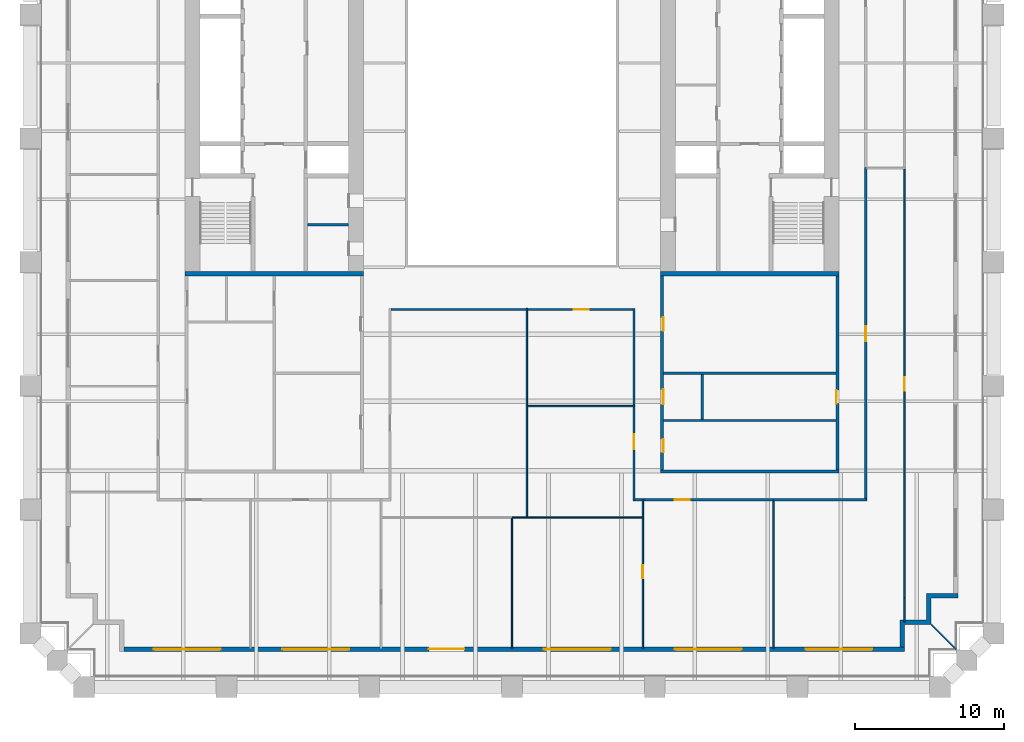
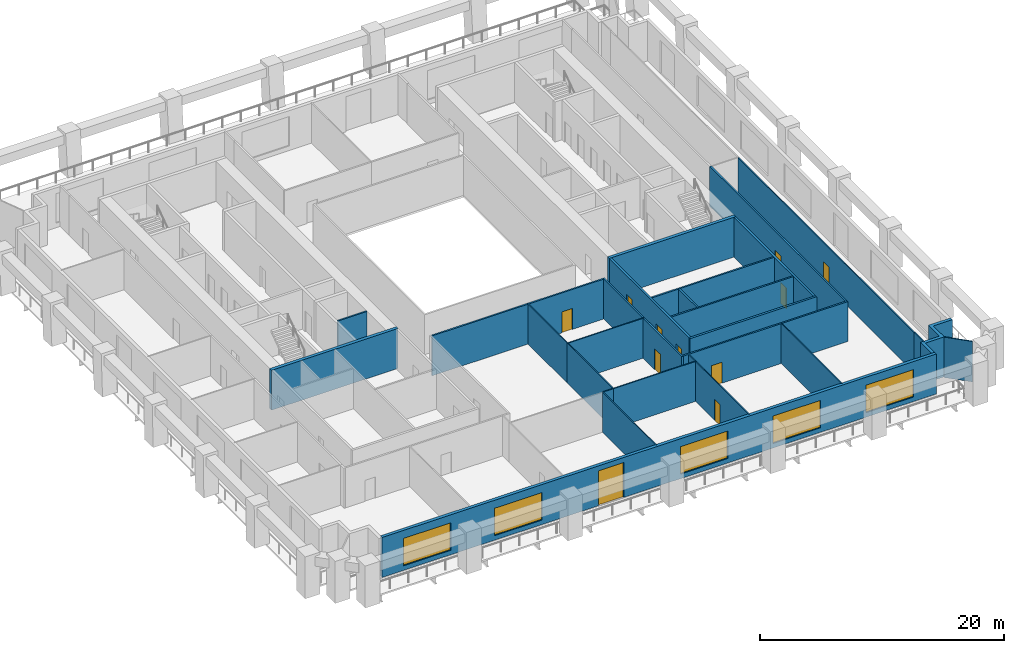
# One storey, part 4 of 10: 31 walls, 11 doors, 5 windows, 16 openings.
"""IFC4 building model written with IfcOpenShell, lengths in metres."""

from ifc_helpers import new_model, si_unit, direction, frame, frame_2d, origin, place, context, subcontext, project, spatial, polyline, rectangle, outline, extrude, material, layer, layer_set, type_object, element, fill, save


model = new_model("IFC4")

# Units and contexts
model_context = context("Model", 3, precision=1e-05, world=origin(), true_north=direction((0.0, 1.0)))
body_context = subcontext(model_context, "Body", "Model", "MODEL_VIEW")
ifc_project = project(units=[si_unit("LENGTHUNIT", "METRE"), si_unit("AREAUNIT", "SQUARE_METRE"), si_unit("VOLUMEUNIT", "CUBIC_METRE"), si_unit("PLANEANGLEUNIT", "RADIAN"), si_unit("MASSUNIT", "GRAM", prefix="KILO")], contexts=[model_context])

# Site, building, storey
site_placement = place(None, origin())
site = spatial("IfcSite", under=ifc_project, at=site_placement, CompositionType="ELEMENT")
building_placement = place(site_placement, origin())
building = spatial("IfcBuilding", under=site, at=building_placement, Name="Ogive Exchange Tower", CompositionType="ELEMENT")
storey_placement = place(building_placement, frame((0.0, 0.0, 73.199951171875)))
storey = spatial("IfcBuildingStorey", under=building, at=storey_placement, Name="L15", CompositionType="ELEMENT", Elevation=73.199951171875)

# Walls
ifc_material_1 = material(Name="Gypsum board partition")
ifc_layer_1 = layer(ifc_material_1, 0.14990234375)
ifc_layer_set_1 = layer_set([ifc_layer_1], Name="Core room partition 150 gypsum")
wall_type_1 = type_object("IfcWallType", Name="Core room partition 150 gypsum", PredefinedType="PARTITIONING", material=ifc_layer_set_1)
wall_1_placement = place(storey_placement, frame((-13.75, 0.699951171875, 0.0), z_axis=(0.0, 0.0, 1.0), x_axis=(1.0, 0.0, 0.0)))
element("IfcWall", 1, at=wall_1_placement, inside=storey, type_object=wall_type_1, Name="W south room partition", PredefinedType="PARTITIONING", context=body_context, shape_type="SweptSolid", body=[
    extrude(rectangle(XDim=2.75, YDim=0.14990234375, at=frame_2d((1.375, 0.0))), origin(), (0.0, 0.0, 1.0), 4.0),
])
for number, where, z_axis, x_axis, name in (
    (2, (10.199951171875, -9.300048828125, 0.0), (0.0, 0.0, 1.0), (1.0, 0.0, 0.0), "E annex S cross wall"),
    (3, (10.199951171875, -12.47509765625, 0.0), (0.0, 0.0, 1.0), (1.0, 0.0, 0.0), "E annex S wc strip wall 00"),
):
    element("IfcWall", number, at=place(storey_placement, frame(where, z_axis=z_axis, x_axis=x_axis)), inside=storey, type_object=wall_type_1, Name=name, PredefinedType="PARTITIONING", context=body_context, shape_type="SweptSolid", body=[
        extrude(rectangle(XDim=11.60009765625, YDim=0.14990234375, at=frame_2d((5.800048828125, 0.0))), origin(), (0.0, 0.0, 1.0), 4.0),
    ])
wall_2_placement = place(storey_placement, frame((12.800048828125, -12.39990234375, 0.0), z_axis=(0.0, 0.0, 1.0), x_axis=(0.0, 1.0, 0.0)))
element("IfcWall", 4, at=wall_2_placement, inside=storey, type_object=wall_type_1, Name="E annex S wc partition 00", PredefinedType="PARTITIONING", context=body_context, shape_type="SweptSolid", body=[
    extrude(rectangle(XDim=3.02490234375, YDim=0.14990234375, at=frame_2d((1.512451171875, 0.0))), origin(), (0.0, 0.0, 1.0), 4.0),
])
ifc_material_2 = material(Name="Fire partition EI 60 150")
ifc_layer_2 = layer(ifc_material_2, 0.14990234375)
ifc_layer_set_2 = layer_set([ifc_layer_2], Name="Fire partition EI 60 150")
wall_type_2 = type_object("IfcWallType", Name="Fire partition EI 60 150", PredefinedType="PARTITIONING", material=ifc_layer_set_2)
wall_3_placement = place(storey_placement, frame((0.949951171875, -5.0, 0.0), z_axis=(0.0, 0.0, 1.0), x_axis=(-1.0, 0.0, 0.0)))
element("IfcWall", 5, at=wall_3_placement, inside=storey, type_object=wall_type_2, Name="L15-PWL-032", PredefinedType="PARTITIONING", context=body_context, shape_type="SweptSolid", body=[
    extrude(rectangle(XDim=9.074951171875, YDim=0.14990234375, at=frame_2d((4.53759765625, 0.0))), origin(), (0.0, 0.0, 1.0), 4.0),
])

# Wall, opening, door
wall_4_placement = place(storey_placement, frame((8.199951171875, -17.875, 0.0), z_axis=(0.0, 0.0, 1.0), x_axis=(0.0, 1.0, 0.0)))
wall_4 = element("IfcWall", 6, at=wall_4_placement, inside=storey, type_object=wall_type_2, Name="L15-PWL-033", PredefinedType="PARTITIONING", context=body_context, shape_type="SweptSolid", body=[
    extrude(rectangle(XDim=6.324951171875, YDim=0.14990234375, at=frame_2d((3.16259765625, 0.0))), origin(), (0.0, 0.0, 1.0), 4.0),
])
opening_1_placement = place(wall_4_placement, frame((3.47509765625, 0.0, 0.0)))
opening_1 = element("IfcOpeningElement", 7, at=opening_1_placement, cuts=wall_4, Name="Opening L15-I07", PredefinedType="OPENING", context=body_context, shape_type="SweptSolid", body=[
    extrude(rectangle(XDim=1.0, YDim=2.10009765625, at=frame_2d((0.5, 1.050048828125))), frame((0.0, 0.0849609375, 0.0), z_axis=(0.0, -1.0, 0.0), x_axis=(1.0, 0.0, 0.0)), (0.0, 0.0, 1.0), 0.169921875),
])
ifc_material_3 = material(Name="Fire door FD 30S 1000 x 2100")
door_type_1 = type_object("IfcDoorType", Name="Fire door FD 30S 1000 x 2100", OperationType="NOTDEFINED", PredefinedType="DOOR", material=ifc_material_3)
door_1_placement = place(opening_1_placement, origin())
door_1 = element("IfcDoor", 8, at=door_1_placement, inside=storey, type_object=door_type_1, Name="L15-IDR-007", ObjectType="DT3", OperationType="SINGLE_SWING_LEFT", OverallHeight=2.10009765625, OverallWidth=1.0, PredefinedType="DOOR", context=body_context, shape_type="SweptSolid", body=[
    extrude(rectangle(XDim=1.0, YDim=2.10009765625, at=frame_2d((0.5, 1.050048828125))), frame((0.0, 0.02490234375, 0.0), z_axis=(0.0, -1.0, 0.0), x_axis=(1.0, 0.0, 0.0)), (0.0, 0.0, 1.0), 0.050048828125),
])
fill(opening_1, door_1)

# Wall
wall_5_placement = place(storey_placement, frame((8.199951171875, -11.449951171875, 0.0), z_axis=(0.0, 0.0, 1.0), x_axis=(0.0, 1.0, 0.0)))
element("IfcWall", 9, at=wall_5_placement, inside=storey, type_object=wall_type_2, Name="L15-PWL-034", PredefinedType="PARTITIONING", context=body_context, shape_type="SweptSolid", body=[
    extrude(rectangle(XDim=6.52490234375, YDim=0.14990234375, at=frame_2d((3.262451171875, 0.0))), origin(), (0.0, 0.0, 1.0), 4.0),
])

# Wall, opening, door
wall_6_placement = place(storey_placement, frame((8.125, -5.0, 0.0), z_axis=(0.0, 0.0, 1.0), x_axis=(-1.0, 0.0, 0.0)))
wall_6 = element("IfcWall", 10, at=wall_6_placement, inside=storey, type_object=wall_type_2, Name="L15-PWL-035", PredefinedType="PARTITIONING", context=body_context, shape_type="SweptSolid", body=[
    extrude(rectangle(XDim=7.074951171875, YDim=0.14990234375, at=frame_2d((3.53759765625, 0.0))), origin(), (0.0, 0.0, 1.0), 4.0),
])
opening_2_placement = place(wall_6_placement, frame((2.97509765625, 0.0, 0.0)))
opening_2 = element("IfcOpeningElement", 11, at=opening_2_placement, cuts=wall_6, Name="Opening L15-I08", PredefinedType="OPENING", context=body_context, shape_type="SweptSolid", body=[
    extrude(rectangle(XDim=1.0, YDim=2.10009765625, at=frame_2d((0.5, 1.050048828125))), frame((0.0, 0.0849609375, 0.0), z_axis=(0.0, -1.0, 0.0), x_axis=(1.0, 0.0, 0.0)), (0.0, 0.0, 1.0), 0.169921875),
])
door_2_placement = place(opening_2_placement, origin())
door_2 = element("IfcDoor", 12, at=door_2_placement, inside=storey, type_object=door_type_1, Name="L15-IDR-008", ObjectType="DT3", OperationType="SINGLE_SWING_RIGHT", OverallHeight=2.10009765625, OverallWidth=1.0, PredefinedType="DOOR", context=body_context, shape_type="SweptSolid", body=[
    extrude(rectangle(XDim=1.0, YDim=2.10009765625, at=frame_2d((0.5, 1.050048828125))), frame((0.0, 0.02490234375, 0.0), z_axis=(0.0, -1.0, 0.0), x_axis=(1.0, 0.0, 0.0)), (0.0, 0.0, 1.0), 0.050048828125),
])
fill(opening_2, door_2)

# Wall
wall_7_placement = place(storey_placement, frame((8.75, -17.800048828125, 0.0), z_axis=(0.0, 0.0, 1.0), x_axis=(-1.0, 0.0, 0.0)))
element("IfcWall", 13, at=wall_7_placement, inside=storey, type_object=wall_type_2, Name="L15-PWL-040", PredefinedType="PARTITIONING", context=body_context, shape_type="SweptSolid", body=[
    extrude(rectangle(XDim=0.47509765625, YDim=0.14990234375, at=frame_2d((0.237548828125, 0.0))), origin(), (0.0, 0.0, 1.0), 4.0),
])

# Wall, opening, door
wall_8_placement = place(storey_placement, frame((17.64990234375, -17.800048828125, 0.0), z_axis=(0.0, 0.0, 1.0), x_axis=(-1.0, 0.0, 0.0)))
wall_8 = element("IfcWall", 14, at=wall_8_placement, inside=storey, type_object=wall_type_2, Name="L15-PWL-041", PredefinedType="PARTITIONING", context=body_context, shape_type="SweptSolid", body=[
    extrude(rectangle(XDim=8.7998046875, YDim=0.14990234375, at=frame_2d((4.39990234375, 0.0))), origin(), (0.0, 0.0, 1.0), 4.0),
])
opening_3_placement = place(wall_8_placement, frame((5.699951171875, 0.0, 0.0)))
opening_3 = element("IfcOpeningElement", 15, at=opening_3_placement, cuts=wall_8, Name="Opening L15-I02", PredefinedType="OPENING", context=body_context, shape_type="SweptSolid", body=[
    extrude(rectangle(XDim=1.0, YDim=2.10009765625, at=frame_2d((0.5, 1.050048828125))), frame((0.0, 0.0849609375, 0.0), z_axis=(0.0, -1.0, 0.0), x_axis=(1.0, 0.0, 0.0)), (0.0, 0.0, 1.0), 0.169921875),
])
door_3_placement = place(opening_3_placement, origin())
door_3 = element("IfcDoor", 16, at=door_3_placement, inside=storey, type_object=door_type_1, Name="L15-IDR-002", ObjectType="DT3", OperationType="SINGLE_SWING_LEFT", OverallHeight=2.10009765625, OverallWidth=1.0, PredefinedType="DOOR", context=body_context, shape_type="SweptSolid", body=[
    extrude(rectangle(XDim=1.0, YDim=2.10009765625, at=frame_2d((0.5, 1.050048828125))), frame((0.0, 0.02490234375, 0.0), z_axis=(0.0, -1.0, 0.0), x_axis=(1.0, 0.0, 0.0)), (0.0, 0.0, 1.0), 0.050048828125),
])
fill(opening_3, door_3)

# Wall
wall_9_placement = place(storey_placement, frame((23.875, -17.800048828125, 0.0), z_axis=(0.0, 0.0, 1.0), x_axis=(-1.0, 0.0, 0.0)))
element("IfcWall", 17, at=wall_9_placement, inside=storey, type_object=wall_type_2, Name="L15-PWL-044", PredefinedType="PARTITIONING", context=body_context, shape_type="SweptSolid", body=[
    extrude(rectangle(XDim=6.27490234375, YDim=0.14990234375, at=frame_2d((3.137451171875, 0.0))), origin(), (0.0, 0.0, 1.0), 4.0),
])

# Wall, opening, door
wall_10_placement = place(storey_placement, frame((23.800048828125, 4.550048828125, 0.0), z_axis=(0.0, 0.0, 1.0), x_axis=(0.0, -1.0, 0.0)))
wall_10 = element("IfcWall", 18, at=wall_10_placement, inside=storey, type_object=wall_type_2, Name="L15-PWL-045", PredefinedType="PARTITIONING", context=body_context, shape_type="SweptSolid", body=[
    extrude(rectangle(XDim=22.275146484375, YDim=0.14990234375, at=frame_2d((11.1376953125, 0.0))), origin(), (0.0, 0.0, 1.0), 4.0),
])
opening_4_placement = place(wall_10_placement, frame((10.699951171875, 0.0, 0.0)))
opening_4 = element("IfcOpeningElement", 19, at=opening_4_placement, cuts=wall_10, Name="Opening L15-I03", PredefinedType="OPENING", context=body_context, shape_type="SweptSolid", body=[
    extrude(rectangle(XDim=1.0, YDim=2.10009765625, at=frame_2d((0.5, 1.050048828125))), frame((0.0, 0.0849609375, 0.0), z_axis=(0.0, -1.0, 0.0), x_axis=(1.0, 0.0, 0.0)), (0.0, 0.0, 1.0), 0.169921875),
])
door_4_placement = place(opening_4_placement, origin())
door_4 = element("IfcDoor", 20, at=door_4_placement, inside=storey, type_object=door_type_1, Name="L15-IDR-003", ObjectType="DT3", OperationType="SINGLE_SWING_RIGHT", OverallHeight=2.10009765625, OverallWidth=1.0, PredefinedType="DOOR", context=body_context, shape_type="SweptSolid", body=[
    extrude(rectangle(XDim=1.0, YDim=2.10009765625, at=frame_2d((0.5, 1.050048828125))), frame((0.0, 0.02490234375, 0.0), z_axis=(0.0, -1.0, 0.0), x_axis=(1.0, 0.0, 0.0)), (0.0, 0.0, 1.0), 0.050048828125),
])
fill(opening_4, door_4)

# Wall, openings, door, windows
ifc_material_4 = material(Name="Precast concrete C40/50", Category="concrete")
ifc_layer_3 = layer(ifc_material_4, 0.300048828125)
ifc_layer_set_3 = layer_set([ifc_layer_3], Name="Limestone-faced wall 300")
wall_type_3 = type_object("IfcWallType", Name="Limestone-faced wall 300", PredefinedType="STANDARD", material=ifc_layer_set_3)
wall_11_placement = place(storey_placement, frame((-26.10009765625, -27.85009765625, 0.0), z_axis=(0.0, 0.0, 1.0), x_axis=(1.0, 0.0, 0.0)))
wall_11 = element("IfcWall", 21, at=wall_11_placement, inside=storey, type_object=wall_type_3, Name="External wall S1", PredefinedType="STANDARD", context=body_context, shape_type="SweptSolid", body=[
    extrude(rectangle(XDim=52.5, YDim=0.300048828125, at=frame_2d((26.25, 0.0))), origin(), (0.0, 0.0, 1.0), 4.0),
])
opening_5_placement = place(wall_11_placement, frame((2.0, 0.0, 0.449951171875)))
opening_5 = element("IfcOpeningElement", 22, at=opening_5_placement, cuts=wall_11, Name="Opening W1H", PredefinedType="OPENING", context=body_context, shape_type="SweptSolid", body=[
    extrude(rectangle(XDim=4.5, YDim=2.75, at=frame_2d((2.25, 1.375))), frame((0.0, 0.159912109375, 0.0), z_axis=(0.0, -1.0, 0.0), x_axis=(1.0, 0.0, 0.0)), (0.0, 0.0, 1.0), 0.320068359375),
])
opening_6_placement = place(wall_11_placement, frame((10.64990234375, 0.0, 0.449951171875)))
opening_6 = element("IfcOpeningElement", 23, at=opening_6_placement, cuts=wall_11, Name="Opening W1H", PredefinedType="OPENING", context=body_context, shape_type="SweptSolid", body=[
    extrude(rectangle(XDim=4.5, YDim=2.75, at=frame_2d((2.25, 1.375))), frame((0.0, 0.159912109375, 0.0), z_axis=(0.0, -1.0, 0.0), x_axis=(1.0, 0.0, 0.0)), (0.0, 0.0, 1.0), 0.320068359375),
])
opening_7_placement = place(wall_11_placement, frame((20.5, 0.0, 0.0)))
opening_7 = element("IfcOpeningElement", 24, at=opening_7_placement, cuts=wall_11, Name="Opening D1", PredefinedType="OPENING", context=body_context, shape_type="SweptSolid", body=[
    extrude(rectangle(XDim=2.39990234375, YDim=3.5, at=frame_2d((1.199951171875, 1.75))), frame((0.0, 0.159912109375, 0.0), z_axis=(0.0, -1.0, 0.0), x_axis=(1.0, 0.0, 0.0)), (0.0, 0.0, 1.0), 0.320068359375),
])
opening_8_placement = place(wall_11_placement, frame((28.25, 0.0, 0.449951171875)))
opening_8 = element("IfcOpeningElement", 25, at=opening_8_placement, cuts=wall_11, Name="Opening W1H", PredefinedType="OPENING", context=body_context, shape_type="SweptSolid", body=[
    extrude(rectangle(XDim=4.5, YDim=2.75, at=frame_2d((2.25, 1.375))), frame((0.0, 0.159912109375, 0.0), z_axis=(0.0, -1.0, 0.0), x_axis=(1.0, 0.0, 0.0)), (0.0, 0.0, 1.0), 0.320068359375),
])
opening_9_placement = place(wall_11_placement, frame((37.050048828125, 0.0, 0.449951171875)))
opening_9 = element("IfcOpeningElement", 26, at=opening_9_placement, cuts=wall_11, Name="Opening W1H", PredefinedType="OPENING", context=body_context, shape_type="SweptSolid", body=[
    extrude(rectangle(XDim=4.5, YDim=2.75, at=frame_2d((2.25, 1.375))), frame((0.0, 0.159912109375, 0.0), z_axis=(0.0, -1.0, 0.0), x_axis=(1.0, 0.0, 0.0)), (0.0, 0.0, 1.0), 0.320068359375),
])
opening_10_placement = place(wall_11_placement, frame((45.85009765625, 0.0, 0.449951171875)))
opening_10 = element("IfcOpeningElement", 27, at=opening_10_placement, cuts=wall_11, Name="Opening W1H", PredefinedType="OPENING", context=body_context, shape_type="SweptSolid", body=[
    extrude(rectangle(XDim=4.5, YDim=2.75, at=frame_2d((2.25, 1.375))), frame((0.0, 0.159912109375, 0.0), z_axis=(0.0, -1.0, 0.0), x_axis=(1.0, 0.0, 0.0)), (0.0, 0.0, 1.0), 0.320068359375),
])
ifc_material_5 = material(Name="Clear glass in bronze frame", Category="glass")
door_type_2 = type_object("IfcDoorType", Name="Sliding loggia door 2400 x 3500", OperationType="DOUBLE_DOOR_SLIDING", PredefinedType="DOOR", material=ifc_material_5)
door_5_placement = place(opening_7_placement, origin())
door_5 = element("IfcDoor", 28, at=door_5_placement, inside=storey, type_object=door_type_2, Name="Loggia door S02", OperationType="DOUBLE_DOOR_SLIDING", OverallHeight=3.5, OverallWidth=2.39990234375, PredefinedType="DOOR", context=body_context, shape_type="SweptSolid", body=[
    extrude(rectangle(XDim=2.39990234375, YDim=3.5, at=frame_2d((1.199951171875, 1.75))), frame((0.0, 0.02490234375, 0.0), z_axis=(0.0, -1.0, 0.0), x_axis=(1.0, 0.0, 0.0)), (0.0, 0.0, 1.0), 0.050048828125),
])
fill(opening_7, door_5)
window_type = type_object("IfcWindowType", Name="Twin lancet window 4500 x 2750", PartitioningType="DOUBLE_PANEL_VERTICAL", PredefinedType="WINDOW", material=ifc_material_5)
window_1_placement = place(opening_5_placement, origin())
window_1 = element("IfcWindow", 29, at=window_1_placement, inside=storey, type_object=window_type, Name="Window S00", OverallHeight=2.75, OverallWidth=4.5, PartitioningType="DOUBLE_PANEL_VERTICAL", PredefinedType="WINDOW", context=body_context, shape_type="SweptSolid", body=[
    extrude(rectangle(XDim=4.5, YDim=2.75, at=frame_2d((2.25, 1.375))), frame((0.0, 0.030029296875, 0.0), z_axis=(0.0, -1.0, 0.0), x_axis=(1.0, 0.0, 0.0)), (0.0, 0.0, 1.0), 0.06005859375),
])
fill(opening_5, window_1)
window_2_placement = place(opening_6_placement, origin())
window_2 = element("IfcWindow", 30, at=window_2_placement, inside=storey, type_object=window_type, Name="Window S01", OverallHeight=2.75, OverallWidth=4.5, PartitioningType="DOUBLE_PANEL_VERTICAL", PredefinedType="WINDOW", context=body_context, shape_type="SweptSolid", body=[
    extrude(rectangle(XDim=4.5, YDim=2.75, at=frame_2d((2.25, 1.375))), frame((0.0, 0.030029296875, 0.0), z_axis=(0.0, -1.0, 0.0), x_axis=(1.0, 0.0, 0.0)), (0.0, 0.0, 1.0), 0.06005859375),
])
fill(opening_6, window_2)
window_3_placement = place(opening_8_placement, origin())
window_3 = element("IfcWindow", 31, at=window_3_placement, inside=storey, type_object=window_type, Name="Window S03", OverallHeight=2.75, OverallWidth=4.5, PartitioningType="DOUBLE_PANEL_VERTICAL", PredefinedType="WINDOW", context=body_context, shape_type="SweptSolid", body=[
    extrude(rectangle(XDim=4.5, YDim=2.75, at=frame_2d((2.25, 1.375))), frame((0.0, 0.030029296875, 0.0), z_axis=(0.0, -1.0, 0.0), x_axis=(1.0, 0.0, 0.0)), (0.0, 0.0, 1.0), 0.06005859375),
])
fill(opening_8, window_3)
window_4_placement = place(opening_9_placement, origin())
window_4 = element("IfcWindow", 32, at=window_4_placement, inside=storey, type_object=window_type, Name="Window S04", OverallHeight=2.75, OverallWidth=4.5, PartitioningType="DOUBLE_PANEL_VERTICAL", PredefinedType="WINDOW", context=body_context, shape_type="SweptSolid", body=[
    extrude(rectangle(XDim=4.5, YDim=2.75, at=frame_2d((2.25, 1.375))), frame((0.0, 0.030029296875, 0.0), z_axis=(0.0, -1.0, 0.0), x_axis=(1.0, 0.0, 0.0)), (0.0, 0.0, 1.0), 0.06005859375),
])
fill(opening_9, window_4)
window_5_placement = place(opening_10_placement, origin())
window_5 = element("IfcWindow", 33, at=window_5_placement, inside=storey, type_object=window_type, Name="Window S05", OverallHeight=2.75, OverallWidth=4.5, PartitioningType="DOUBLE_PANEL_VERTICAL", PredefinedType="WINDOW", context=body_context, shape_type="SweptSolid", body=[
    extrude(rectangle(XDim=4.5, YDim=2.75, at=frame_2d((2.25, 1.375))), frame((0.0, 0.030029296875, 0.0), z_axis=(0.0, -1.0, 0.0), x_axis=(1.0, 0.0, 0.0)), (0.0, 0.0, 1.0), 0.06005859375),
])
fill(opening_10, window_5)

# Walls
wall_12_placement = place(storey_placement, origin())
element("IfcWall", 34, at=wall_12_placement, inside=storey, type_object=wall_type_3, Name="External corner wall C1", PredefinedType="STANDARD", context=body_context, shape_type="SweptSolid", body=[
    extrude(outline(polyline([(27.89990234375, -25.89990234375), (27.89990234375, -24.10009765625), (30.0, -24.10009765625), (30.0, -24.39990234375), (28.199951171875, -24.39990234375), (28.199951171875, -26.199951171875), (26.39990234375, -26.199951171875), (26.39990234375, -27.699951171875), (26.10009765625, -27.699951171875), (26.10009765625, -25.89990234375), (27.89990234375, -25.89990234375)])), origin(), (0.0, 0.0, 1.0), 4.0),
])
ifc_material_6 = material(Name="Laminated safety glass in steel frame", Category="steel")
ifc_layer_4 = layer(ifc_material_6, 0.10009765625)
ifc_layer_set_4 = layer_set([ifc_layer_4], Name="Loggia end screen 100")
wall_type_4 = type_object("IfcWallType", Name="Loggia end screen 100", PredefinedType="STANDARD", material=ifc_layer_set_4)
wall_13_placement = place(storey_placement, frame((28.199951171875, -26.199951171875, -0.050048828125), z_axis=(0.0, 0.0, 1.0), x_axis=(0.707106781187, -0.707106781187, 0.0)))
element("IfcWall", 35, at=wall_13_placement, inside=storey, type_object=wall_type_4, Name="Loggia end screen C1", PredefinedType="STANDARD", context=body_context, shape_type="SweptSolid", body=[
    extrude(rectangle(XDim=2.384521484375, YDim=0.10009765625, at=frame_2d((1.1923828125, 0.0))), origin(), (0.0, 0.0, 1.0), 4.050048828125),
])
ifc_material_7 = material(Name="Partition 100 gypsum")
ifc_layer_5 = layer(ifc_material_7, 0.10009765625)
ifc_layer_set_5 = layer_set([ifc_layer_5], Name="Partition 100 gypsum")
wall_type_5 = type_object("IfcWallType", Name="Partition 100 gypsum", PredefinedType="PARTITIONING", material=ifc_layer_set_5)
wall_14_placement = place(storey_placement, frame((0.0, -19.050048828125, 0.0), z_axis=(0.0, 0.0, 1.0), x_axis=(0.0, -1.0, 0.0)))
element("IfcWall", 36, at=wall_14_placement, inside=storey, type_object=wall_type_5, Name="L15-PWL-024", PredefinedType="PARTITIONING", context=body_context, shape_type="SweptSolid", body=[
    extrude(rectangle(XDim=8.75, YDim=0.10009765625, at=frame_2d((4.375, 0.0))), origin(), (0.0, 0.0, 1.0), 4.0),
])
wall_15_placement = place(storey_placement, frame((0.0, -19.0, 0.0), z_axis=(0.0, 0.0, 1.0), x_axis=(1.0, 0.0, 0.0)))
element("IfcWall", 37, at=wall_15_placement, inside=storey, type_object=wall_type_5, Name="L15-PWL-025", PredefinedType="PARTITIONING", context=body_context, shape_type="SweptSolid", body=[
    extrude(rectangle(XDim=1.0, YDim=0.10009765625, at=frame_2d((0.5, 0.0))), origin(), (0.0, 0.0, 1.0), 4.0),
])
wall_16_placement = place(storey_placement, frame((1.0, -18.949951171875, 0.0), z_axis=(0.0, 0.0, 1.0), x_axis=(0.0, 1.0, 0.0)))
element("IfcWall", 38, at=wall_16_placement, inside=storey, type_object=wall_type_5, Name="L15-PWL-028", PredefinedType="PARTITIONING", context=body_context, shape_type="SweptSolid", body=[
    extrude(rectangle(XDim=7.5, YDim=0.10009765625, at=frame_2d((3.75, 0.0))), origin(), (0.0, 0.0, 1.0), 4.0),
])
wall_17_placement = place(storey_placement, frame((1.0, -19.0, 0.0), z_axis=(0.0, 0.0, 1.0), x_axis=(1.0, 0.0, 0.0)))
element("IfcWall", 39, at=wall_17_placement, inside=storey, type_object=wall_type_5, Name="L15-PWL-029", PredefinedType="PARTITIONING", context=body_context, shape_type="SweptSolid", body=[
    extrude(rectangle(XDim=7.85009765625, YDim=0.10009765625, at=frame_2d((3.925048828125, 0.0))), origin(), (0.0, 0.0, 1.0), 4.0),
])
wall_18_placement = place(storey_placement, frame((1.0, -11.449951171875, 0.0), z_axis=(0.0, 0.0, 1.0), x_axis=(0.0, 1.0, 0.0)))
element("IfcWall", 40, at=wall_18_placement, inside=storey, type_object=wall_type_5, Name="L15-PWL-030", PredefinedType="PARTITIONING", context=body_context, shape_type="SweptSolid", body=[
    extrude(rectangle(XDim=6.52490234375, YDim=0.10009765625, at=frame_2d((3.262451171875, 0.0))), origin(), (0.0, 0.0, 1.0), 4.0),
])
wall_19_placement = place(storey_placement, frame((1.050048828125, -11.5, 0.0), z_axis=(0.0, 0.0, 1.0), x_axis=(1.0, 0.0, 0.0)))
element("IfcWall", 41, at=wall_19_placement, inside=storey, type_object=wall_type_5, Name="L15-PWL-031", PredefinedType="PARTITIONING", context=body_context, shape_type="SweptSolid", body=[
    extrude(rectangle(XDim=7.224853515625, YDim=0.10009765625, at=frame_2d((3.6123046875, 0.0))), origin(), (0.0, 0.0, 1.0), 4.0),
])

# Wall, opening, door
wall_20_placement = place(storey_placement, frame((8.800048828125, -27.800048828125, 0.0), z_axis=(0.0, 0.0, 1.0), x_axis=(0.0, 1.0, 0.0)))
wall_20 = element("IfcWall", 42, at=wall_20_placement, inside=storey, type_object=wall_type_5, Name="L15-PWL-038", PredefinedType="PARTITIONING", context=body_context, shape_type="SweptSolid", body=[
    extrude(rectangle(XDim=8.75, YDim=0.10009765625, at=frame_2d((4.375, 0.0))), origin(), (0.0, 0.0, 1.0), 4.0),
])
opening_11_placement = place(wall_20_placement, frame((4.699951171875, 0.0, 0.0)))
opening_11 = element("IfcOpeningElement", 43, at=opening_11_placement, cuts=wall_20, Name="Opening L15-I06", PredefinedType="OPENING", context=body_context, shape_type="SweptSolid", body=[
    extrude(rectangle(XDim=0.89990234375, YDim=2.10009765625, at=frame_2d((0.449951171875, 1.050048828125))), frame((0.0, 0.06005859375, 0.0), z_axis=(0.0, -1.0, 0.0), x_axis=(1.0, 0.0, 0.0)), (0.0, 0.0, 1.0), 0.1201171875),
])
ifc_material_8 = material(Name="Door 900 x 2100")
door_type_3 = type_object("IfcDoorType", Name="Door 900 x 2100", OperationType="NOTDEFINED", PredefinedType="DOOR", material=ifc_material_8)
door_6_placement = place(opening_11_placement, origin())
door_6 = element("IfcDoor", 44, at=door_6_placement, inside=storey, type_object=door_type_3, Name="L15-IDR-006", ObjectType="DT1", OperationType="SINGLE_SWING_LEFT", OverallHeight=2.10009765625, OverallWidth=0.89990234375, PredefinedType="DOOR", context=body_context, shape_type="SweptSolid", body=[
    extrude(rectangle(XDim=0.89990234375, YDim=2.10009765625, at=frame_2d((0.449951171875, 1.050048828125))), frame((0.0, 0.02490234375, 0.0), z_axis=(0.0, -1.0, 0.0), x_axis=(1.0, 0.0, 0.0)), (0.0, 0.0, 1.0), 0.050048828125),
])
fill(opening_11, door_6)

# Walls
wall_21_placement = place(storey_placement, frame((8.800048828125, -18.949951171875, 0.0), z_axis=(0.0, 0.0, 1.0), x_axis=(0.0, 1.0, 0.0)))
element("IfcWall", 45, at=wall_21_placement, inside=storey, type_object=wall_type_5, Name="L15-PWL-039", PredefinedType="PARTITIONING", context=body_context, shape_type="SweptSolid", body=[
    extrude(rectangle(XDim=1.224853515625, YDim=0.10009765625, at=frame_2d((0.6123046875, 0.0))), origin(), (0.0, 0.0, 1.0), 4.0),
])
wall_22_placement = place(storey_placement, frame((17.60009765625, -17.875, 0.0), z_axis=(0.0, 0.0, 1.0), x_axis=(0.0, -1.0, 0.0)))
element("IfcWall", 46, at=wall_22_placement, inside=storey, type_object=wall_type_5, Name="L15-PWL-042", PredefinedType="PARTITIONING", context=body_context, shape_type="SweptSolid", body=[
    extrude(rectangle(XDim=9.925048828125, YDim=0.10009765625, at=frame_2d((4.96240234375, 0.0))), origin(), (0.0, 0.0, 1.0), 4.0),
])

# Wall, opening, door
wall_23_placement = place(storey_placement, frame((26.39990234375, -24.409912109375, 0.0), z_axis=(0.0, 0.0, 1.0), x_axis=(0.0, 1.0, 0.0)))
wall_23 = element("IfcWall", 47, at=wall_23_placement, inside=storey, type_object=wall_type_5, Name="L15-PWL-048", PredefinedType="PARTITIONING", context=body_context, shape_type="SweptSolid", body=[
    extrude(rectangle(XDim=28.85986328125, YDim=0.10009765625, at=frame_2d((14.429931640625, 0.0))), origin(), (0.0, 0.0, 1.0), 4.0),
])
opening_12_placement = place(wall_23_placement, frame((13.949951171875, 0.0, 0.0)))
opening_12 = element("IfcOpeningElement", 48, at=opening_12_placement, cuts=wall_23, Name="Opening L15-I01", PredefinedType="OPENING", context=body_context, shape_type="SweptSolid", body=[
    extrude(rectangle(XDim=0.89990234375, YDim=2.10009765625, at=frame_2d((0.449951171875, 1.050048828125))), frame((0.0, 0.06005859375, 0.0), z_axis=(0.0, -1.0, 0.0), x_axis=(1.0, 0.0, 0.0)), (0.0, 0.0, 1.0), 0.1201171875),
])
door_7_placement = place(opening_12_placement, origin())
door_7 = element("IfcDoor", 49, at=door_7_placement, inside=storey, type_object=door_type_3, Name="L15-IDR-001", ObjectType="DT1", OperationType="SINGLE_SWING_RIGHT", OverallHeight=2.10009765625, OverallWidth=0.89990234375, PredefinedType="DOOR", context=body_context, shape_type="SweptSolid", body=[
    extrude(rectangle(XDim=0.89990234375, YDim=2.10009765625, at=frame_2d((0.449951171875, 1.050048828125))), frame((0.0, 0.02490234375, 0.0), z_axis=(0.0, -1.0, 0.0), x_axis=(1.0, 0.0, 0.0)), (0.0, 0.0, 1.0), 0.050048828125),
])
fill(opening_12, door_7)

# Wall
wall_24_placement = place(storey_placement, frame((26.409912109375, -26.0, 0.0), z_axis=(0.0, 0.0, 1.0), x_axis=(0.0, 1.0, 0.0)))
element("IfcWall", 50, at=wall_24_placement, inside=storey, type_object=wall_type_5, Name="L15-PWL-050", PredefinedType="PARTITIONING", context=body_context, shape_type="SweptSolid", body=[
    extrude(rectangle(XDim=1.590087890625, YDim=0.10009765625, at=frame_2d((0.794921875, 0.0))), origin(), (0.0, 0.0, 1.0), 4.0),
])

# Wall, opening, door
ifc_material_9 = material(Name="Concrete C70/85", Category="concrete")
ifc_layer_6 = layer(ifc_material_9, 0.199951171875)
ifc_layer_set_6 = layer_set([ifc_layer_6], Name="RC core wall 200 C70/85")
wall_type_6 = type_object("IfcWallType", Name="RC core wall 200 C70/85", PredefinedType="SHEAR", material=ifc_layer_set_6)
wall_25_placement = place(storey_placement, frame((21.89990234375, -15.800048828125, 0.0), z_axis=(0.0, 0.0, 1.0), x_axis=(0.0, 1.0, 0.0)))
wall_25 = element("IfcWall", 51, at=wall_25_placement, inside=storey, type_object=wall_type_6, Name="E annex S outer wall", PredefinedType="SHEAR", context=body_context, shape_type="SweptSolid", body=[
    extrude(rectangle(XDim=13.050048828125, YDim=0.199951171875, at=frame_2d((6.52490234375, 0.0))), origin(), (0.0, 0.0, 1.0), 4.0),
])
opening_13_placement = place(wall_25_placement, frame((4.46240234375, 0.0, 0.0)))
opening_13 = element("IfcOpeningElement", 52, at=opening_13_placement, cuts=wall_25, Name="Opening L15-C42", PredefinedType="OPENING", context=body_context, shape_type="SweptSolid", body=[
    extrude(rectangle(XDim=0.89990234375, YDim=2.10009765625, at=frame_2d((0.449951171875, 1.050048828125))), frame((0.0, 0.10986328125, 0.0), z_axis=(0.0, -1.0, 0.0), x_axis=(1.0, 0.0, 0.0)), (0.0, 0.0, 1.0), 0.219970703125),
])
ifc_material_10 = material(Name="Timber fire door", Category="wood")
door_type_4 = type_object("IfcDoorType", Name="Core room door FD30S 900 x 2100", OperationType="NOTDEFINED", PredefinedType="DOOR", material=ifc_material_10)
door_8_placement = place(opening_13_placement, origin())
door_8 = element("IfcDoor", 53, at=door_8_placement, inside=storey, type_object=door_type_4, Name="Core room door", ObjectType="CD6", OperationType="SINGLE_SWING_RIGHT", OverallHeight=2.10009765625, OverallWidth=0.89990234375, PredefinedType="DOOR", context=body_context, shape_type="SweptSolid", body=[
    extrude(rectangle(XDim=0.89990234375, YDim=2.10009765625, at=frame_2d((0.449951171875, 1.050048828125))), frame((0.0, 0.10009765625, 0.0), z_axis=(0.0, -1.0, 0.0), x_axis=(1.0, 0.0, 0.0)), (0.0, 0.0, 1.0), 0.050048828125),
])
fill(opening_13, door_8)

# Wall, openings, doors
wall_26_placement = place(storey_placement, frame((10.10009765625, -15.800048828125, 0.0), z_axis=(0.0, 0.0, 1.0), x_axis=(0.0, 1.0, 0.0)))
wall_26 = element("IfcWall", 54, at=wall_26_placement, inside=storey, type_object=wall_type_6, Name="E annex S inner wall", PredefinedType="SHEAR", context=body_context, shape_type="SweptSolid", body=[
    extrude(rectangle(XDim=13.050048828125, YDim=0.199951171875, at=frame_2d((6.52490234375, 0.0))), origin(), (0.0, 0.0, 1.0), 4.0),
])
opening_14_placement = place(wall_26_placement, frame((1.175048828125, 0.0, 0.0)))
opening_14 = element("IfcOpeningElement", 55, at=opening_14_placement, cuts=wall_26, Name="Opening L15-C40", PredefinedType="OPENING", context=body_context, shape_type="SweptSolid", body=[
    extrude(rectangle(XDim=0.89990234375, YDim=2.10009765625, at=frame_2d((0.449951171875, 1.050048828125))), frame((0.0, 0.10986328125, 0.0), z_axis=(0.0, -1.0, 0.0), x_axis=(1.0, 0.0, 0.0)), (0.0, 0.0, 1.0), 0.219970703125),
])
opening_15_placement = place(wall_26_placement, frame((4.41259765625, 0.0, 0.0)))
opening_15 = element("IfcOpeningElement", 56, at=opening_15_placement, cuts=wall_26, Name="Opening L15-C41", PredefinedType="OPENING", context=body_context, shape_type="SweptSolid", body=[
    extrude(rectangle(XDim=1.0, YDim=2.10009765625, at=frame_2d((0.5, 1.050048828125))), frame((0.0, 0.10986328125, 0.0), z_axis=(0.0, -1.0, 0.0), x_axis=(1.0, 0.0, 0.0)), (0.0, 0.0, 1.0), 0.219970703125),
])
opening_16_placement = place(wall_26_placement, frame((9.362548828125, 0.0, 0.0)))
opening_16 = element("IfcOpeningElement", 57, at=opening_16_placement, cuts=wall_26, Name="Opening L15-C43", PredefinedType="OPENING", context=body_context, shape_type="SweptSolid", body=[
    extrude(rectangle(XDim=0.89990234375, YDim=2.10009765625, at=frame_2d((0.449951171875, 1.050048828125))), frame((0.0, 0.10986328125, 0.0), z_axis=(0.0, -1.0, 0.0), x_axis=(1.0, 0.0, 0.0)), (0.0, 0.0, 1.0), 0.219970703125),
])
door_type_5 = type_object("IfcDoorType", Name="Accessible WC door FD30S 1000 x 2100", OperationType="NOTDEFINED", PredefinedType="DOOR", material=ifc_material_10)
door_9_placement = place(opening_15_placement, frame((1.0, -0.14990234375, 0.0), z_axis=(0.0, 0.0, 1.0), x_axis=(-1.0, 0.0, 0.0)))
door_9 = element("IfcDoor", 58, at=door_9_placement, inside=storey, type_object=door_type_5, Name="Accessible WC door", ObjectType="CD7", OperationType="SINGLE_SWING_LEFT", OverallHeight=2.10009765625, OverallWidth=1.0, PredefinedType="DOOR", context=body_context, shape_type="SweptSolid", body=[
    extrude(rectangle(XDim=1.0, YDim=2.10009765625, at=frame_2d((0.5, 1.050048828125))), frame((0.0, -0.0498046875, 0.0), z_axis=(0.0, -1.0, 0.0), x_axis=(1.0, 0.0, 0.0)), (0.0, 0.0, 1.0), 0.050048828125),
])
fill(opening_15, door_9)
door_10_placement = place(opening_16_placement, frame((0.89990234375, -0.14990234375, 0.0), z_axis=(0.0, 0.0, 1.0), x_axis=(-1.0, 0.0, 0.0)))
door_10 = element("IfcDoor", 59, at=door_10_placement, inside=storey, type_object=door_type_4, Name="Core room door", ObjectType="CD6", OperationType="SINGLE_SWING_LEFT", OverallHeight=2.10009765625, OverallWidth=0.89990234375, PredefinedType="DOOR", context=body_context, shape_type="SweptSolid", body=[
    extrude(rectangle(XDim=0.89990234375, YDim=2.10009765625, at=frame_2d((0.449951171875, 1.050048828125))), frame((0.0, -0.0498046875, 0.0), z_axis=(0.0, -1.0, 0.0), x_axis=(1.0, 0.0, 0.0)), (0.0, 0.0, 1.0), 0.050048828125),
])
fill(opening_16, door_10)
ifc_material_11 = material(Name="Steel fire door", Category="steel")
door_type_6 = type_object("IfcDoorType", Name="Riser door FD60 900 x 2100", OperationType="NOTDEFINED", PredefinedType="DOOR", material=ifc_material_11)
door_11_placement = place(opening_14_placement, frame((0.89990234375, -0.14990234375, 0.0), z_axis=(0.0, 0.0, 1.0), x_axis=(-1.0, 0.0, 0.0)))
door_11 = element("IfcDoor", 60, at=door_11_placement, inside=storey, type_object=door_type_6, Name="Riser door", ObjectType="CD2", OperationType="SINGLE_SWING_LEFT", OverallHeight=2.10009765625, OverallWidth=0.89990234375, PredefinedType="DOOR", context=body_context, shape_type="SweptSolid", body=[
    extrude(rectangle(XDim=0.89990234375, YDim=2.10009765625, at=frame_2d((0.449951171875, 1.050048828125))), frame((0.0, -0.0498046875, 0.0), z_axis=(0.0, -1.0, 0.0), x_axis=(1.0, 0.0, 0.0)), (0.0, 0.0, 1.0), 0.050048828125),
])
fill(opening_14, door_11)

# Walls
wall_27_placement = place(storey_placement, frame((10.0, -15.89990234375, 0.0), z_axis=(0.0, 0.0, 1.0), x_axis=(1.0, 0.0, 0.0)))
element("IfcWall", 61, at=wall_27_placement, inside=storey, type_object=wall_type_6, Name="E annex S end wall", PredefinedType="SHEAR", context=body_context, shape_type="SweptSolid", body=[
    extrude(rectangle(XDim=12.0, YDim=0.199951171875, at=frame_2d((6.0, 0.0))), origin(), (0.0, 0.0, 1.0), 4.0),
])
ifc_layer_7 = layer(ifc_material_9, 0.300048828125)
ifc_layer_set_7 = layer_set([ifc_layer_7], Name="RC core wall 300 C70/85")
wall_type_7 = type_object("IfcWallType", Name="RC core wall 300 C70/85", PredefinedType="SHEAR", material=ifc_layer_set_7)
for number, where, z_axis, x_axis, name in (
    (62, (-22.0, -2.60009765625, 0.0), (0.0, 0.0, 1.0), (1.0, 0.0, 0.0), "W south end wall"),
    (63, (10.0, -2.60009765625, 0.0), (0.0, 0.0, 1.0), (1.0, 0.0, 0.0), "E south end wall"),
):
    element("IfcWall", number, at=place(storey_placement, frame(where, z_axis=z_axis, x_axis=x_axis)), inside=storey, type_object=wall_type_7, Name=name, PredefinedType="SHEAR", context=body_context, shape_type="SweptSolid", body=[
        extrude(rectangle(XDim=12.0, YDim=0.300048828125, at=frame_2d((6.0, 0.0))), origin(), (0.0, 0.0, 1.0), 4.0),
    ])

save(model, "model.ifc")
